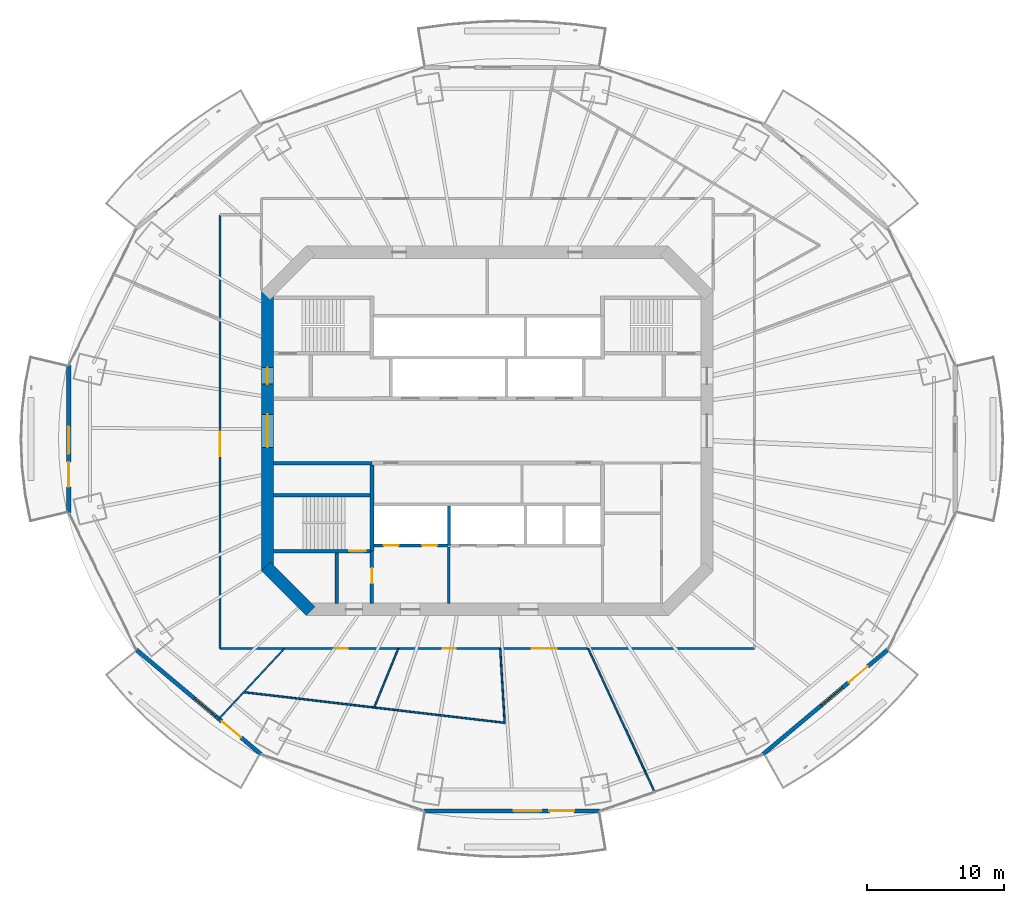
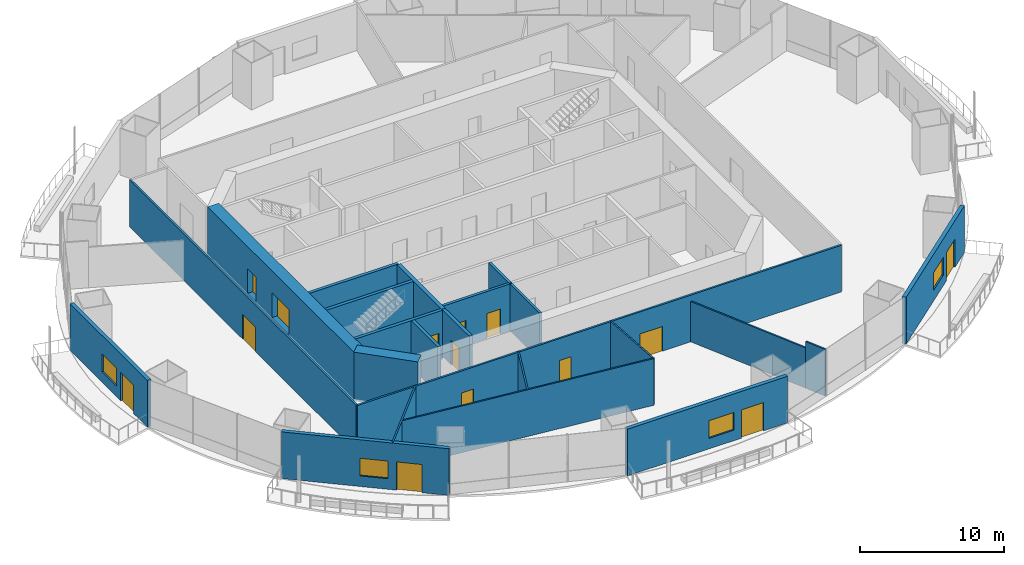
# One storey, part 12 of 21: 23 walls, 14 doors, 4 windows, 18 openings.
"""IFC4 building model written with IfcOpenShell, lengths in metres."""

from ifc_helpers import new_model, si_unit, direction, frame, frame_2d, origin, place, context, subcontext, project, spatial, rectangle, extrude, material, layer, layer_set, type_object, element, fill, save


model = new_model("IFC4")

# Units and contexts
model_context = context("Model", 3, precision=1e-05, world=origin(), true_north=direction((0.0, 1.0)))
body_context = subcontext(model_context, "Body", "Model", "MODEL_VIEW")
ifc_project = project(units=[si_unit("LENGTHUNIT", "METRE"), si_unit("AREAUNIT", "SQUARE_METRE"), si_unit("VOLUMEUNIT", "CUBIC_METRE"), si_unit("PLANEANGLEUNIT", "RADIAN"), si_unit("MASSUNIT", "GRAM", prefix="KILO")], contexts=[model_context])

# Site, building, storey
site_placement = place(None, origin())
site = spatial("IfcSite", under=ifc_project, at=site_placement, CompositionType="ELEMENT")
building_placement = place(site_placement, origin())
building = spatial("IfcBuilding", under=site, at=building_placement, Name="Marenthal Gate Tower", CompositionType="ELEMENT")
storey_placement = place(building_placement, frame((0.0, 0.0, 165.199951171875)))
storey = spatial("IfcBuildingStorey", under=building, at=storey_placement, Name="L35", CompositionType="ELEMENT", Elevation=165.199951171875)

# Wall, openings, doors
ifc_material_1 = material(Name="Concrete 60 MPa", Category="concrete")
ifc_layer_1 = layer(ifc_material_1, 0.89990234375)
ifc_layer_set_1 = layer_set([ifc_layer_1], Name="Core shear wall 900")
wall_type_1 = type_object("IfcWallType", Name="Core shear wall 900", PredefinedType="SHEAR", material=ifc_layer_set_1)
wall_1_placement = place(storey_placement, frame((-16.0, 10.186279296875, -0.179931640625), z_axis=(0.0, 0.0, 1.0), x_axis=(0.0, -1.0, 0.0)))
wall_1 = element("IfcWall", 1, at=wall_1_placement, inside=storey, type_object=wall_type_1, Name="Core wall 06", PredefinedType="SHEAR", context=body_context, shape_type="SweptSolid", body=[
    extrude(rectangle(XDim=20.37255859375, YDim=0.89990234375, at=frame_2d((10.186279296875, 0.0))), origin(), (0.0, 0.0, 1.0), 4.14990234375),
])
opening_1_placement = place(wall_1_placement, frame((8.986328125, 0.0, 0.179931640625)))
opening_1 = element("IfcOpeningElement", 2, at=opening_1_placement, cuts=wall_1, Name="Opening D003.01", PredefinedType="OPENING", context=body_context, shape_type="SweptSolid", body=[
    extrude(rectangle(XDim=2.39990234375, YDim=2.10009765625, at=frame_2d((1.199951171875, 1.050048828125))), frame((0.0, 0.4599609375, 0.0), z_axis=(0.0, -1.0, 0.0), x_axis=(1.0, 0.0, 0.0)), (0.0, 0.0, 1.0), 0.919921875),
])
opening_2_placement = place(wall_1_placement, frame((5.58642578125, 0.0, 0.179931640625)))
opening_2 = element("IfcOpeningElement", 3, at=opening_2_placement, cuts=wall_1, Name="Opening D001.04", PredefinedType="OPENING", context=body_context, shape_type="SweptSolid", body=[
    extrude(rectangle(XDim=1.199951171875, YDim=2.10009765625, at=frame_2d((0.60009765625, 1.050048828125))), frame((0.0, 0.4599609375, 0.0), z_axis=(0.0, -1.0, 0.0), x_axis=(1.0, 0.0, 0.0)), (0.0, 0.0, 1.0), 0.919921875),
])
ifc_material_2 = material(Name="Steel fire door", Category="steel")
door_type_1 = type_object("IfcDoorType", Name="Double fire door FD 45 2400 x 2100", OperationType="DOUBLE_DOOR_SINGLE_SWING", PredefinedType="DOOR", material=ifc_material_2)
door_1_placement = place(opening_1_placement, origin())
door_1 = element("IfcDoor", 4, at=door_1_placement, inside=storey, type_object=door_type_1, Name="Door D003.01", OperationType="DOUBLE_DOOR_SINGLE_SWING", OverallHeight=2.10009765625, OverallWidth=2.39990234375, PredefinedType="DOOR", context=body_context, shape_type="SweptSolid", body=[
    extrude(rectangle(XDim=2.39990234375, YDim=2.10009765625, at=frame_2d((1.199951171875, 1.050048828125))), frame((0.0, 0.02490234375, 0.0), z_axis=(0.0, -1.0, 0.0), x_axis=(1.0, 0.0, 0.0)), (0.0, 0.0, 1.0), 0.050048828125),
])
fill(opening_1, door_1)
ifc_material_3 = material(Name="Steel fire door", Category="steel")
door_type_2 = type_object("IfcDoorType", Name="Fire door FD 90 1200 x 2100", OperationType="NOTDEFINED", PredefinedType="DOOR", material=ifc_material_3)
door_2_placement = place(opening_2_placement, origin())
door_2 = element("IfcDoor", 5, at=door_2_placement, inside=storey, type_object=door_type_2, Name="Door D001.04", OperationType="SINGLE_SWING_RIGHT", OverallHeight=2.10009765625, OverallWidth=1.199951171875, PredefinedType="DOOR", context=body_context, shape_type="SweptSolid", body=[
    extrude(rectangle(XDim=1.199951171875, YDim=2.10009765625, at=frame_2d((0.60009765625, 1.050048828125))), frame((0.0, 0.02490234375, 0.0), z_axis=(0.0, -1.0, 0.0), x_axis=(1.0, 0.0, 0.0)), (0.0, 0.0, 1.0), 0.050048828125),
])
fill(opening_2, door_2)

# Walls
wall_2_placement = place(storey_placement, frame((-16.1318359375, -9.8681640625, -0.179931640625), z_axis=(0.0, 0.0, 1.0), x_axis=(0.707106781187, -0.707106781187, 0.0)))
element("IfcWall", 6, at=wall_2_placement, inside=storey, type_object=wall_type_1, Name="Core wall 07", PredefinedType="SHEAR", context=body_context, shape_type="SweptSolid", body=[
    extrude(rectangle(XDim=4.615478515625, YDim=0.89990234375, at=frame_2d((2.3076171875, 0.0))), origin(), (0.0, 0.0, 1.0), 4.14990234375),
])
ifc_material_4 = material(Name="Gypsum board on steel studs", Category="steel")
ifc_layer_2 = layer(ifc_material_4, 0.199951171875)
ifc_layer_set_2 = layer_set([ifc_layer_2], Name="Fire lobby wall 200")
wall_type_2 = type_object("IfcWallType", Name="Fire lobby wall 200", PredefinedType="PARTITIONING", material=ifc_layer_set_2)
wall_3_placement = place(storey_placement, frame((-2.800048828125, -12.550048828125, 0.0), z_axis=(0.0, 0.0, 1.0), x_axis=(0.0, 1.0, 0.0)))
element("IfcWall", 7, at=wall_3_placement, inside=storey, type_object=wall_type_2, Name="Fire wall 34", PredefinedType="PARTITIONING", context=body_context, shape_type="SweptSolid", body=[
    extrude(rectangle(XDim=4.090087890625, YDim=0.199951171875, at=frame_2d((2.044921875, 0.0))), origin(), (0.0, 0.0, 1.0), 3.969970703125),
])
ifc_material_5 = material(Name="Concrete 50 MPa", Category="concrete")
ifc_layer_3 = layer(ifc_material_5, 0.300048828125)
ifc_layer_set_3 = layer_set([ifc_layer_3], Name="Hoistway shear wall 300")
wall_type_3 = type_object("IfcWallType", Name="Hoistway shear wall 300", PredefinedType="SHEAR", material=ifc_layer_set_3)
wall_4_placement = place(storey_placement, frame((-8.39990234375, -8.75, -0.179931640625), z_axis=(0.0, 0.0, 1.0), x_axis=(0.0, 1.0, 0.0)))
element("IfcWall", 8, at=wall_4_placement, inside=storey, type_object=wall_type_3, Name="Hoistway wall 30", PredefinedType="SHEAR", context=body_context, shape_type="SweptSolid", body=[
    extrude(rectangle(XDim=6.25, YDim=0.300048828125, at=frame_2d((3.125, 0.0))), origin(), (0.0, 0.0, 1.0), 4.14990234375),
])

# Wall, openings, doors
ifc_material_6 = material(Name="Concrete 40 MPa", Category="concrete")
ifc_layer_4 = layer(ifc_material_6, 0.219970703125)
ifc_layer_set_4 = layer_set([ifc_layer_4], Name="Hoistway wall 220")
wall_type_4 = type_object("IfcWallType", Name="Hoistway wall 220", PredefinedType="STANDARD", material=ifc_layer_set_4)
wall_5_placement = place(storey_placement, frame((-8.25, -8.35009765625, 0.0), z_axis=(0.0, 0.0, 1.0), x_axis=(1.0, 0.0, 0.0)))
wall_5 = element("IfcWall", 9, at=wall_5_placement, inside=storey, type_object=wall_type_4, Name="Hoistway wall 10", PredefinedType="STANDARD", context=body_context, shape_type="SweptSolid", body=[
    extrude(rectangle(XDim=5.340087890625, YDim=0.219970703125, at=frame_2d((2.669921875, 0.0))), origin(), (0.0, 0.0, 1.0), 3.969970703125),
])
opening_3_placement = place(wall_5_placement, frame((0.699951171875, 0.0, 0.0)))
opening_3 = element("IfcOpeningElement", 10, at=opening_3_placement, cuts=wall_5, Name="Opening LD-LF1", PredefinedType="OPENING", context=body_context, shape_type="SweptSolid", body=[
    extrude(rectangle(XDim=1.10009765625, YDim=2.10009765625, at=frame_2d((0.550048828125, 1.050048828125))), frame((0.0, 0.1201171875, 0.0), z_axis=(0.0, -1.0, 0.0), x_axis=(1.0, 0.0, 0.0)), (0.0, 0.0, 1.0), 0.239990234375),
])
opening_4_placement = place(wall_5_placement, frame((3.5, 0.0, 0.0)))
opening_4 = element("IfcOpeningElement", 11, at=opening_4_placement, cuts=wall_5, Name="Opening LD-LF2", PredefinedType="OPENING", context=body_context, shape_type="SweptSolid", body=[
    extrude(rectangle(XDim=1.10009765625, YDim=2.10009765625, at=frame_2d((0.550048828125, 1.050048828125))), frame((0.0, 0.1201171875, 0.0), z_axis=(0.0, -1.0, 0.0), x_axis=(1.0, 0.0, 0.0)), (0.0, 0.0, 1.0), 0.239990234375),
])
ifc_material_7 = material(Name="Stainless steel sliding door", Category="steel")
door_type_3 = type_object("IfcDoorType", Name="Lift landing door FD 90 1100 x 2100", OperationType="DOUBLE_DOOR_SLIDING", PredefinedType="DOOR", material=ifc_material_7)
door_3_placement = place(opening_3_placement, origin())
door_3 = element("IfcDoor", 12, at=door_3_placement, inside=storey, type_object=door_type_3, Name="Lift landing door LF1", OperationType="DOUBLE_DOOR_SLIDING", OverallHeight=2.10009765625, OverallWidth=1.10009765625, PredefinedType="DOOR", context=body_context, shape_type="SweptSolid", body=[
    extrude(rectangle(XDim=1.10009765625, YDim=2.10009765625, at=frame_2d((0.550048828125, 1.050048828125))), frame((0.0, 0.02490234375, 0.0), z_axis=(0.0, -1.0, 0.0), x_axis=(1.0, 0.0, 0.0)), (0.0, 0.0, 1.0), 0.050048828125),
])
fill(opening_3, door_3)
door_4_placement = place(opening_4_placement, origin())
door_4 = element("IfcDoor", 13, at=door_4_placement, inside=storey, type_object=door_type_3, Name="Lift landing door LF2", OperationType="DOUBLE_DOOR_SLIDING", OverallHeight=2.10009765625, OverallWidth=1.10009765625, PredefinedType="DOOR", context=body_context, shape_type="SweptSolid", body=[
    extrude(rectangle(XDim=1.10009765625, YDim=2.10009765625, at=frame_2d((0.550048828125, 1.050048828125))), frame((0.0, 0.02490234375, 0.0), z_axis=(0.0, -1.0, 0.0), x_axis=(1.0, 0.0, 0.0)), (0.0, 0.0, 1.0), 0.050048828125),
])
fill(opening_4, door_4)

# Walls
wall_6_placement = place(storey_placement, frame((-2.800048828125, -8.35009765625, 0.0), z_axis=(0.0, 0.0, 1.0), x_axis=(0.0, 1.0, 0.0)))
element("IfcWall", 14, at=wall_6_placement, inside=storey, type_object=wall_type_4, Name="Hoistway wall 35", PredefinedType="STANDARD", context=body_context, shape_type="SweptSolid", body=[
    extrude(rectangle(XDim=2.89013671875, YDim=0.219970703125, at=frame_2d((1.445068359375, 0.0))), origin(), (0.0, 0.0, 1.0), 3.969970703125),
])
ifc_material_8 = material(Name="Gypsum board on steel studs", Category="steel")
ifc_layer_5 = layer(ifc_material_8, 0.1201171875)
ifc_layer_set_5 = layer_set([ifc_layer_5], Name="Partition 120")
wall_type_5 = type_object("IfcWallType", Name="Partition 120", PredefinedType="PARTITIONING", material=ifc_layer_set_5)
wall_7_placement = place(storey_placement, frame((-17.72900390625, -19.025390625, 0.0), z_axis=(0.0, 0.0, 1.0), x_axis=(0.99318471995, -0.116550899001, 0.0)))
element("IfcWall", 15, at=wall_7_placement, inside=storey, type_object=wall_type_5, Name="Partition wall 52", PredefinedType="PARTITIONING", context=body_context, shape_type="SweptSolid", body=[
    extrude(rectangle(XDim=19.124755859375, YDim=0.1201171875, at=frame_2d((9.5625, 0.0))), origin(), (0.0, 0.0, 1.0), 3.969970703125),
])
wall_8_placement = place(storey_placement, frame((-14.77001953125, -15.85009765625, 0.0), z_axis=(0.0, 0.0, 1.0), x_axis=(-0.681748932873, -0.731586216742, 0.0)))
element("IfcWall", 16, at=wall_8_placement, inside=storey, type_object=wall_type_5, Name="Partition wall 55", PredefinedType="PARTITIONING", context=body_context, shape_type="SweptSolid", body=[
    extrude(rectangle(XDim=7.000244140625, YDim=0.1201171875, at=frame_2d((3.5, 0.0))), origin(), (0.0, 0.0, 1.0), 3.969970703125),
])
wall_9_placement = place(storey_placement, frame((-8.231689453125, -20.139892578125, 0.0), z_axis=(0.0, 0.0, 1.0), x_axis=(0.378310762155, 0.925678652253, 0.0)))
element("IfcWall", 17, at=wall_9_placement, inside=storey, type_object=wall_type_5, Name="Partition wall 56", PredefinedType="PARTITIONING", context=body_context, shape_type="SweptSolid", body=[
    extrude(rectangle(XDim=4.63427734375, YDim=0.1201171875, at=frame_2d((2.317138671875, 0.0))), origin(), (0.0, 0.0, 1.0), 3.969970703125),
])
wall_10_placement = place(storey_placement, frame((1.265380859375, -21.25439453125, 0.0), z_axis=(0.0, 0.0, 1.0), x_axis=(-0.059435758529, 0.998232132627, 0.0)))
element("IfcWall", 18, at=wall_10_placement, inside=storey, type_object=wall_type_5, Name="Partition wall 57", PredefinedType="PARTITIONING", context=body_context, shape_type="SweptSolid", body=[
    extrude(rectangle(XDim=5.413818359375, YDim=0.1201171875, at=frame_2d((2.70703125, 0.0))), origin(), (0.0, 0.0, 1.0), 3.969970703125),
])
wall_11_placement = place(storey_placement, frame((7.34521484375, -15.85009765625, 0.0), z_axis=(0.0, 0.0, 1.0), x_axis=(0.420462507065, -0.90730991406, 0.0)))
element("IfcWall", 19, at=wall_11_placement, inside=storey, type_object=wall_type_5, Name="Partition wall 59", PredefinedType="PARTITIONING", context=body_context, shape_type="SweptSolid", body=[
    extrude(rectangle(XDim=9.84130859375, YDim=0.1201171875, at=frame_2d((4.920654296875, 0.0))), origin(), (0.0, 0.0, 1.0), 3.426025390625),
])
wall_12_placement = place(storey_placement, frame((11.483154296875, -24.779296875, 0.0), z_axis=(0.0, 0.0, 1.0), x_axis=(0.420419662211, -0.90732976785, 0.0)))
element("IfcWall", 20, at=wall_12_placement, inside=storey, type_object=wall_type_5, Name="Partition wall 71", PredefinedType="PARTITIONING", context=body_context, shape_type="SweptSolid", body=[
    extrude(rectangle(XDim=1.65966796875, YDim=0.1201171875, at=frame_2d((0.829833984375, 0.0))), origin(), (0.0, 0.0, 1.0), 3.969970703125),
])

# Wall, opening, door
ifc_material_9 = material(Name="Gypsum board on steel studs", Category="steel")
ifc_layer_6 = layer(ifc_material_9, 0.14990234375)
ifc_layer_set_6 = layer_set([ifc_layer_6], Name="Partition 150")
wall_type_6 = type_object("IfcWallType", Name="Partition 150", PredefinedType="PARTITIONING", material=ifc_layer_set_6)
wall_13_placement = place(storey_placement, frame((-19.449951171875, -15.85009765625, 0.0), z_axis=(0.0, 0.0, 1.0), x_axis=(0.0, 1.0, 0.0)))
wall_13 = element("IfcWall", 21, at=wall_13_placement, inside=storey, type_object=wall_type_6, Name="Partition wall 49", PredefinedType="PARTITIONING", context=body_context, shape_type="SweptSolid", body=[
    extrude(rectangle(XDim=31.581787109375, YDim=0.14990234375, at=frame_2d((15.791015625, 0.0))), origin(), (0.0, 0.0, 1.0), 3.969970703125),
])
opening_5_placement = place(wall_13_placement, frame((14.0029296875, 0.0, 0.0)))
opening_5 = element("IfcOpeningElement", 22, at=opening_5_placement, cuts=wall_13, Name="Opening D014.02", PredefinedType="OPENING", context=body_context, shape_type="SweptSolid", body=[
    extrude(rectangle(XDim=1.800048828125, YDim=2.10009765625, at=frame_2d((0.89990234375, 1.050048828125))), frame((0.0, 0.0849609375, 0.0), z_axis=(0.0, -1.0, 0.0), x_axis=(1.0, 0.0, 0.0)), (0.0, 0.0, 1.0), 0.169921875),
])
ifc_material_10 = material(Name="Timber door", Category="wood")
door_type_4 = type_object("IfcDoorType", Name="Double door 1800 x 2100", OperationType="DOUBLE_DOOR_SINGLE_SWING", PredefinedType="DOOR", material=ifc_material_10)
door_5_placement = place(opening_5_placement, origin())
door_5 = element("IfcDoor", 23, at=door_5_placement, inside=storey, type_object=door_type_4, Name="Door D014.02", OperationType="DOUBLE_DOOR_SINGLE_SWING", OverallHeight=2.10009765625, OverallWidth=1.800048828125, PredefinedType="DOOR", context=body_context, shape_type="SweptSolid", body=[
    extrude(rectangle(XDim=1.800048828125, YDim=2.10009765625, at=frame_2d((0.89990234375, 1.050048828125))), frame((0.0, 0.02490234375, 0.0), z_axis=(0.0, -1.0, 0.0), x_axis=(1.0, 0.0, 0.0)), (0.0, 0.0, 1.0), 0.050048828125),
])
fill(opening_5, door_5)

# Wall, openings, doors
wall_14_placement = place(storey_placement, frame((19.449951171875, -15.85009765625, 0.0), z_axis=(0.0, 0.0, 1.0), x_axis=(-1.0, 0.0, 0.0)))
wall_14 = element("IfcWall", 24, at=wall_14_placement, inside=storey, type_object=wall_type_6, Name="Partition wall 65", PredefinedType="PARTITIONING", context=body_context, shape_type="SweptSolid", body=[
    extrude(rectangle(XDim=38.89990234375, YDim=0.14990234375, at=frame_2d((19.449951171875, 0.0))), origin(), (0.0, 0.0, 1.0), 3.969970703125),
])
opening_6_placement = place(wall_14_placement, frame((29.59912109375, 0.0, 0.0)))
opening_6 = element("IfcOpeningElement", 25, at=opening_6_placement, cuts=wall_14, Name="Opening D016.06", PredefinedType="OPENING", context=body_context, shape_type="SweptSolid", body=[
    extrude(rectangle(XDim=0.949951171875, YDim=2.10009765625, at=frame_2d((0.47509765625, 1.050048828125))), frame((0.0, 0.0849609375, 0.0), z_axis=(0.0, -1.0, 0.0), x_axis=(1.0, 0.0, 0.0)), (0.0, 0.0, 1.0), 0.169921875),
])
opening_7_placement = place(wall_14_placement, frame((21.741943359375, 0.0, 0.0)))
opening_7 = element("IfcOpeningElement", 26, at=opening_7_placement, cuts=wall_14, Name="Opening D016.07", PredefinedType="OPENING", context=body_context, shape_type="SweptSolid", body=[
    extrude(rectangle(XDim=0.949951171875, YDim=2.10009765625, at=frame_2d((0.47509765625, 1.050048828125))), frame((0.0, 0.0849609375, 0.0), z_axis=(0.0, -1.0, 0.0), x_axis=(1.0, 0.0, 0.0)), (0.0, 0.0, 1.0), 0.169921875),
])
opening_8_placement = place(wall_14_placement, frame((14.406005859375, 0.0, 0.0)))
opening_8 = element("IfcOpeningElement", 27, at=opening_8_placement, cuts=wall_14, Name="Opening D014.03", PredefinedType="OPENING", context=body_context, shape_type="SweptSolid", body=[
    extrude(rectangle(XDim=1.800048828125, YDim=2.10009765625, at=frame_2d((0.89990234375, 1.050048828125))), frame((0.0, 0.0849609375, 0.0), z_axis=(0.0, -1.0, 0.0), x_axis=(1.0, 0.0, 0.0)), (0.0, 0.0, 1.0), 0.169921875),
])
ifc_material_11 = material(Name="Timber door", Category="wood")
door_type_5 = type_object("IfcDoorType", Name="Door 950 x 2100", OperationType="NOTDEFINED", PredefinedType="DOOR", material=ifc_material_11)
door_6_placement = place(opening_6_placement, origin())
door_6 = element("IfcDoor", 28, at=door_6_placement, inside=storey, type_object=door_type_5, Name="Door D016.06", OperationType="SINGLE_SWING_RIGHT", OverallHeight=2.10009765625, OverallWidth=0.949951171875, PredefinedType="DOOR", context=body_context, shape_type="SweptSolid", body=[
    extrude(rectangle(XDim=0.949951171875, YDim=2.10009765625, at=frame_2d((0.47509765625, 1.050048828125))), frame((0.0, 0.02490234375, 0.0), z_axis=(0.0, -1.0, 0.0), x_axis=(1.0, 0.0, 0.0)), (0.0, 0.0, 1.0), 0.050048828125),
])
fill(opening_6, door_6)
door_7_placement = place(opening_7_placement, origin())
door_7 = element("IfcDoor", 29, at=door_7_placement, inside=storey, type_object=door_type_5, Name="Door D016.07", OperationType="SINGLE_SWING_RIGHT", OverallHeight=2.10009765625, OverallWidth=0.949951171875, PredefinedType="DOOR", context=body_context, shape_type="SweptSolid", body=[
    extrude(rectangle(XDim=0.949951171875, YDim=2.10009765625, at=frame_2d((0.47509765625, 1.050048828125))), frame((0.0, 0.02490234375, 0.0), z_axis=(0.0, -1.0, 0.0), x_axis=(1.0, 0.0, 0.0)), (0.0, 0.0, 1.0), 0.050048828125),
])
fill(opening_7, door_7)
door_8_placement = place(opening_8_placement, origin())
door_8 = element("IfcDoor", 30, at=door_8_placement, inside=storey, type_object=door_type_4, Name="Door D014.03", OperationType="DOUBLE_DOOR_SINGLE_SWING", OverallHeight=2.10009765625, OverallWidth=1.800048828125, PredefinedType="DOOR", context=body_context, shape_type="SweptSolid", body=[
    extrude(rectangle(XDim=1.800048828125, YDim=2.10009765625, at=frame_2d((0.89990234375, 1.050048828125))), frame((0.0, 0.02490234375, 0.0), z_axis=(0.0, -1.0, 0.0), x_axis=(1.0, 0.0, 0.0)), (0.0, 0.0, 1.0), 0.050048828125),
])
fill(opening_8, door_8)

# Walls
ifc_material_12 = material(Name="Concrete 40 MPa", Category="concrete")
ifc_layer_7 = layer(ifc_material_12, 0.25)
ifc_layer_set_7 = layer_set([ifc_layer_7], Name="Stair enclosure wall 250")
wall_type_7 = type_object("IfcWallType", Name="Stair enclosure wall 250", PredefinedType="STANDARD", material=ifc_layer_set_7)
wall_15_placement = place(storey_placement, frame((-15.550048828125, -2.35009765625, 0.0), z_axis=(0.0, 0.0, 1.0), x_axis=(1.0, 0.0, 0.0)))
element("IfcWall", 31, at=wall_15_placement, inside=storey, type_object=wall_type_7, Name="Stair wall 15", PredefinedType="STANDARD", context=body_context, shape_type="SweptSolid", body=[
    extrude(rectangle(XDim=7.150146484375, YDim=0.25, at=frame_2d((3.5751953125, 0.0))), origin(), (0.0, 0.0, 1.0), 3.969970703125),
])
wall_16_placement = place(storey_placement, frame((-10.949951171875, -12.550048828125, 0.0), z_axis=(0.0, 0.0, 1.0), x_axis=(0.0, 1.0, 0.0)))
element("IfcWall", 32, at=wall_16_placement, inside=storey, type_object=wall_type_7, Name="Stair wall 28", PredefinedType="STANDARD", context=body_context, shape_type="SweptSolid", body=[
    extrude(rectangle(XDim=3.675048828125, YDim=0.25, at=frame_2d((1.83740234375, 0.0))), origin(), (0.0, 0.0, 1.0), 3.969970703125),
])

# Wall, opening, door
wall_17_placement = place(storey_placement, frame((-8.39990234375, -12.550048828125, 0.0), z_axis=(0.0, 0.0, 1.0), x_axis=(0.0, 1.0, 0.0)))
wall_17 = element("IfcWall", 33, at=wall_17_placement, inside=storey, type_object=wall_type_7, Name="Stair wall 29", PredefinedType="STANDARD", context=body_context, shape_type="SweptSolid", body=[
    extrude(rectangle(XDim=3.800048828125, YDim=0.25, at=frame_2d((1.89990234375, 0.0))), origin(), (0.0, 0.0, 1.0), 3.969970703125),
])
opening_9_placement = place(wall_17_placement, frame((1.449951171875, 0.0, 0.0)))
opening_9 = element("IfcOpeningElement", 34, at=opening_9_placement, cuts=wall_17, Name="Opening D002.01", PredefinedType="OPENING", context=body_context, shape_type="SweptSolid", body=[
    extrude(rectangle(XDim=1.10009765625, YDim=2.10009765625, at=frame_2d((0.550048828125, 1.050048828125))), frame((0.0, 0.135009765625, 0.0), z_axis=(0.0, -1.0, 0.0), x_axis=(1.0, 0.0, 0.0)), (0.0, 0.0, 1.0), 0.27001953125),
])
ifc_material_13 = material(Name="Steel fire door", Category="steel")
door_type_6 = type_object("IfcDoorType", Name="Fire door FD 90 1100 x 2100", OperationType="NOTDEFINED", PredefinedType="DOOR", material=ifc_material_13)
door_9_placement = place(opening_9_placement, origin())
door_9 = element("IfcDoor", 35, at=door_9_placement, inside=storey, type_object=door_type_6, Name="Door D002.01", OperationType="SINGLE_SWING_RIGHT", OverallHeight=2.10009765625, OverallWidth=1.10009765625, PredefinedType="DOOR", context=body_context, shape_type="SweptSolid", body=[
    extrude(rectangle(XDim=1.10009765625, YDim=2.10009765625, at=frame_2d((0.550048828125, 1.050048828125))), frame((0.0, 0.02490234375, 0.0), z_axis=(0.0, -1.0, 0.0), x_axis=(1.0, 0.0, 0.0)), (0.0, 0.0, 1.0), 0.050048828125),
])
fill(opening_9, door_9)

ifc_material_14 = material(Name="Concrete 50 MPa", Category="concrete")
ifc_layer_8 = layer(ifc_material_14, 0.25)
ifc_layer_set_8 = layer_set([ifc_layer_8], Name="Stair shear wall 250")
wall_type_8 = type_object("IfcWallType", Name="Stair shear wall 250", PredefinedType="SHEAR", material=ifc_layer_set_8)
wall_18_placement = place(storey_placement, frame((-15.550048828125, -8.75, -0.179931640625), z_axis=(0.0, 0.0, 1.0), x_axis=(1.0, 0.0, 0.0)))
wall_18 = element("IfcWall", 36, at=wall_18_placement, inside=storey, type_object=wall_type_8, Name="Stair wall 09", PredefinedType="SHEAR", context=body_context, shape_type="SweptSolid", body=[
    extrude(rectangle(XDim=7.0, YDim=0.25, at=frame_2d((3.5, 0.0))), origin(), (0.0, 0.0, 1.0), 4.14990234375),
])
opening_10_placement = place(wall_18_placement, frame((5.5, 0.0, 0.179931640625)))
opening_10 = element("IfcOpeningElement", 37, at=opening_10_placement, cuts=wall_18, Name="Opening D001.03", PredefinedType="OPENING", context=body_context, shape_type="SweptSolid", body=[
    extrude(rectangle(XDim=1.199951171875, YDim=2.10009765625, at=frame_2d((0.60009765625, 1.050048828125))), frame((0.0, 0.135009765625, 0.0), z_axis=(0.0, -1.0, 0.0), x_axis=(1.0, 0.0, 0.0)), (0.0, 0.0, 1.0), 0.27001953125),
])
door_10_placement = place(opening_10_placement, origin())
door_10 = element("IfcDoor", 38, at=door_10_placement, inside=storey, type_object=door_type_2, Name="Door D001.03", OperationType="SINGLE_SWING_RIGHT", OverallHeight=2.10009765625, OverallWidth=1.199951171875, PredefinedType="DOOR", context=body_context, shape_type="SweptSolid", body=[
    extrude(rectangle(XDim=1.199951171875, YDim=2.10009765625, at=frame_2d((0.60009765625, 1.050048828125))), frame((0.0, 0.02490234375, 0.0), z_axis=(0.0, -1.0, 0.0), x_axis=(1.0, 0.0, 0.0)), (0.0, 0.0, 1.0), 0.050048828125),
])
fill(opening_10, door_10)

# Wall
wall_19_placement = place(storey_placement, frame((-15.550048828125, -4.699951171875, -0.179931640625), z_axis=(0.0, 0.0, 1.0), x_axis=(1.0, 0.0, 0.0)))
element("IfcWall", 39, at=wall_19_placement, inside=storey, type_object=wall_type_8, Name="Stair wall 14", PredefinedType="SHEAR", context=body_context, shape_type="SweptSolid", body=[
    extrude(rectangle(XDim=7.0, YDim=0.25, at=frame_2d((3.5, 0.0))), origin(), (0.0, 0.0, 1.0), 4.14990234375),
])

# Wall, openings, door, window
ifc_material_15 = material(Name="Terracotta cladding on insulated concrete-block backing", Category="masonry")
ifc_layer_9 = layer(ifc_material_15, 0.300048828125)
ifc_layer_set_9 = layer_set([ifc_layer_9], Name="Terracotta facade wall 300")
wall_type_9 = type_object("IfcWallType", Name="Terracotta facade wall 300", PredefinedType="SOLIDWALL", material=ifc_layer_set_9)
wall_20_placement = place(storey_placement, frame((-30.466796875, 4.782958984375, 0.0), z_axis=(0.0, 0.0, 1.0), x_axis=(0.0, -1.0, 0.0)))
wall_20 = element("IfcWall", 40, at=wall_20_placement, inside=storey, type_object=wall_type_9, Name="Terracotta facade wall L35 bay 8", PredefinedType="SOLIDWALL", context=body_context, shape_type="SweptSolid", body=[
    extrude(rectangle(XDim=10.765869140625, YDim=0.300048828125, at=frame_2d((5.3828125, 0.0))), origin(), (0.0, 0.0, 1.0), 3.969970703125),
])
opening_11_placement = place(wall_20_placement, frame((7.06591796875, 0.0, 0.0)))
opening_11 = element("IfcOpeningElement", 41, at=opening_11_placement, cuts=wall_20, Name="Opening BD-L35-08", PredefinedType="OPENING", context=body_context, shape_type="SweptSolid", body=[
    extrude(rectangle(XDim=1.800048828125, YDim=2.39990234375, at=frame_2d((0.89990234375, 1.199951171875))), frame((0.0, 0.16015625, 0.0), z_axis=(0.0, -1.0, 0.0), x_axis=(1.0, 0.0, 0.0)), (0.0, 0.0, 1.0), 0.320068359375),
])
opening_12_placement = place(wall_20_placement, frame((4.4658203125, 0.0, 0.89990234375)))
opening_12 = element("IfcOpeningElement", 42, at=opening_12_placement, cuts=wall_20, Name="Opening WN2-L35-08", PredefinedType="OPENING", context=body_context, shape_type="SweptSolid", body=[
    extrude(rectangle(XDim=2.0, YDim=1.5, at=frame_2d((1.0, 0.75))), frame((0.0, 0.16015625, 0.0), z_axis=(0.0, -1.0, 0.0), x_axis=(1.0, 0.0, 0.0)), (0.0, 0.0, 1.0), 0.320068359375),
])
ifc_material_16 = material(Name="Aluminium and glass", Category="aluminium")
door_type_7 = type_object("IfcDoorType", Name="Balcony door 1800x2400", OperationType="DOUBLE_DOOR_SINGLE_SWING", PredefinedType="DOOR", material=ifc_material_16)
door_11_placement = place(opening_11_placement, origin())
door_11 = element("IfcDoor", 43, at=door_11_placement, inside=storey, type_object=door_type_7, Name="Balcony door L35 bay 8", OperationType="SINGLE_SWING_LEFT", OverallHeight=2.39990234375, OverallWidth=1.800048828125, PredefinedType="DOOR", context=body_context, shape_type="SweptSolid", body=[
    extrude(rectangle(XDim=1.800048828125, YDim=2.39990234375, at=frame_2d((0.89990234375, 1.199951171875))), frame((0.0, 0.02490234375, 0.0), z_axis=(0.0, -1.0, 0.0), x_axis=(1.0, 0.0, 0.0)), (0.0, 0.0, 1.0), 0.050048828125),
])
fill(opening_11, door_11)
ifc_material_17 = material(Name="Aluminium and glass", Category="aluminium")
window_type = type_object("IfcWindowType", Name="Window 2000x1500", PartitioningType="DOUBLE_PANEL_VERTICAL", PredefinedType="WINDOW", material=ifc_material_17)
window_1_placement = place(opening_12_placement, origin())
window_1 = element("IfcWindow", 44, at=window_1_placement, inside=storey, type_object=window_type, Name="Window L35 bay 8", OverallHeight=1.5, OverallWidth=2.0, PartitioningType="SINGLE_PANEL", PredefinedType="WINDOW", context=body_context, shape_type="SweptSolid", body=[
    extrude(rectangle(XDim=2.0, YDim=1.5, at=frame_2d((1.0, 0.75))), frame((0.0, 0.030029296875, 0.0), z_axis=(0.0, -1.0, 0.0), x_axis=(1.0, 0.0, 0.0)), (0.0, 0.0, 1.0), 0.06005859375),
])
fill(opening_12, window_1)

wall_21_placement = place(storey_placement, frame((-25.554443359375, -15.92919921875, 0.0), z_axis=(0.0, 0.0, 1.0), x_axis=(0.766186960617, -0.642617725697, 0.0)))
wall_21 = element("IfcWall", 45, at=wall_21_placement, inside=storey, type_object=wall_type_9, Name="Terracotta facade wall L35 bay 10", PredefinedType="SOLIDWALL", context=body_context, shape_type="SweptSolid", body=[
    extrude(rectangle(XDim=11.846435546875, YDim=0.300048828125, at=frame_2d((5.92333984375, 0.0))), origin(), (0.0, 0.0, 1.0), 3.969970703125),
])
opening_13_placement = place(wall_21_placement, frame((8.146484375, 0.0, 0.0)))
opening_13 = element("IfcOpeningElement", 46, at=opening_13_placement, cuts=wall_21, Name="Opening BD-L35-10", PredefinedType="OPENING", context=body_context, shape_type="SweptSolid", body=[
    extrude(rectangle(XDim=1.800048828125, YDim=2.39990234375, at=frame_2d((0.89990234375, 1.199951171875))), frame((0.0, 0.16015625, 0.0), z_axis=(0.0, -1.0, 0.0), x_axis=(1.0, 0.0, 0.0)), (0.0, 0.0, 1.0), 0.320068359375),
])
opening_14_placement = place(wall_21_placement, frame((5.54638671875, 0.0, 0.89990234375)))
opening_14 = element("IfcOpeningElement", 47, at=opening_14_placement, cuts=wall_21, Name="Opening WN2-L35-10", PredefinedType="OPENING", context=body_context, shape_type="SweptSolid", body=[
    extrude(rectangle(XDim=2.0, YDim=1.5, at=frame_2d((1.0, 0.75))), frame((0.0, 0.16015625, 0.0), z_axis=(0.0, -1.0, 0.0), x_axis=(1.0, 0.0, 0.0)), (0.0, 0.0, 1.0), 0.320068359375),
])
door_12_placement = place(opening_13_placement, origin())
door_12 = element("IfcDoor", 48, at=door_12_placement, inside=storey, type_object=door_type_7, Name="Balcony door L35 bay 10", OperationType="SINGLE_SWING_LEFT", OverallHeight=2.39990234375, OverallWidth=1.800048828125, PredefinedType="DOOR", context=body_context, shape_type="SweptSolid", body=[
    extrude(rectangle(XDim=1.800048828125, YDim=2.39990234375, at=frame_2d((0.89990234375, 1.199951171875))), frame((0.0, 0.02490234375, 0.0), z_axis=(0.0, -1.0, 0.0), x_axis=(1.0, 0.0, 0.0)), (0.0, 0.0, 1.0), 0.050048828125),
])
fill(opening_13, door_12)
window_2_placement = place(opening_14_placement, origin())
window_2 = element("IfcWindow", 49, at=window_2_placement, inside=storey, type_object=window_type, Name="Window L35 bay 10", OverallHeight=1.5, OverallWidth=2.0, PartitioningType="SINGLE_PANEL", PredefinedType="WINDOW", context=body_context, shape_type="SweptSolid", body=[
    extrude(rectangle(XDim=2.0, YDim=1.5, at=frame_2d((1.0, 0.75))), frame((0.0, 0.030029296875, 0.0), z_axis=(0.0, -1.0, 0.0), x_axis=(1.0, 0.0, 0.0)), (0.0, 0.0, 1.0), 0.06005859375),
])
fill(opening_14, window_2)

wall_22_placement = place(storey_placement, frame((-4.618408203125, -27.661865234375, 0.0), z_axis=(0.0, 0.0, 1.0), x_axis=(1.0, 0.0, 0.0)))
wall_22 = element("IfcWall", 50, at=wall_22_placement, inside=storey, type_object=wall_type_9, Name="Terracotta facade wall L35 bay 12", PredefinedType="SOLIDWALL", context=body_context, shape_type="SweptSolid", body=[
    extrude(rectangle(XDim=12.836669921875, YDim=0.300048828125, at=frame_2d((6.41845703125, 0.0))), origin(), (0.0, 0.0, 1.0), 3.969970703125),
])
opening_15_placement = place(wall_22_placement, frame((9.13671875, 0.0, 0.0)))
opening_15 = element("IfcOpeningElement", 51, at=opening_15_placement, cuts=wall_22, Name="Opening BD-L35-12", PredefinedType="OPENING", context=body_context, shape_type="SweptSolid", body=[
    extrude(rectangle(XDim=1.800048828125, YDim=2.39990234375, at=frame_2d((0.89990234375, 1.199951171875))), frame((0.0, 0.16015625, 0.0), z_axis=(0.0, -1.0, 0.0), x_axis=(1.0, 0.0, 0.0)), (0.0, 0.0, 1.0), 0.320068359375),
])
opening_16_placement = place(wall_22_placement, frame((6.53662109375, 0.0, 0.89990234375)))
opening_16 = element("IfcOpeningElement", 52, at=opening_16_placement, cuts=wall_22, Name="Opening WN2-L35-12", PredefinedType="OPENING", context=body_context, shape_type="SweptSolid", body=[
    extrude(rectangle(XDim=2.0, YDim=1.5, at=frame_2d((1.0, 0.75))), frame((0.0, 0.16015625, 0.0), z_axis=(0.0, -1.0, 0.0), x_axis=(1.0, 0.0, 0.0)), (0.0, 0.0, 1.0), 0.320068359375),
])
door_13_placement = place(opening_15_placement, origin())
door_13 = element("IfcDoor", 53, at=door_13_placement, inside=storey, type_object=door_type_7, Name="Balcony door L35 bay 12", OperationType="SINGLE_SWING_LEFT", OverallHeight=2.39990234375, OverallWidth=1.800048828125, PredefinedType="DOOR", context=body_context, shape_type="SweptSolid", body=[
    extrude(rectangle(XDim=1.800048828125, YDim=2.39990234375, at=frame_2d((0.89990234375, 1.199951171875))), frame((0.0, 0.02490234375, 0.0), z_axis=(0.0, -1.0, 0.0), x_axis=(1.0, 0.0, 0.0)), (0.0, 0.0, 1.0), 0.050048828125),
])
fill(opening_15, door_13)
window_3_placement = place(opening_16_placement, origin())
window_3 = element("IfcWindow", 54, at=window_3_placement, inside=storey, type_object=window_type, Name="Window L35 bay 12", OverallHeight=1.5, OverallWidth=2.0, PartitioningType="SINGLE_PANEL", PredefinedType="WINDOW", context=body_context, shape_type="SweptSolid", body=[
    extrude(rectangle(XDim=2.0, YDim=1.5, at=frame_2d((1.0, 0.75))), frame((0.0, 0.030029296875, 0.0), z_axis=(0.0, -1.0, 0.0), x_axis=(1.0, 0.0, 0.0)), (0.0, 0.0, 1.0), 0.06005859375),
])
fill(opening_16, window_3)

wall_23_placement = place(storey_placement, frame((20.07763671875, -23.5419921875, 0.0), z_axis=(0.0, 0.0, 1.0), x_axis=(0.766195470897, 0.642607578835, 0.0)))
wall_23 = element("IfcWall", 55, at=wall_23_placement, inside=storey, type_object=wall_type_9, Name="Terracotta facade wall L35 bay 14", PredefinedType="SOLIDWALL", context=body_context, shape_type="SweptSolid", body=[
    extrude(rectangle(XDim=11.8466796875, YDim=0.300048828125, at=frame_2d((5.92333984375, 0.0))), origin(), (0.0, 0.0, 1.0), 3.969970703125),
])
opening_17_placement = place(wall_23_placement, frame((8.146484375, 0.0, 0.0)))
opening_17 = element("IfcOpeningElement", 56, at=opening_17_placement, cuts=wall_23, Name="Opening BD-L35-14", PredefinedType="OPENING", context=body_context, shape_type="SweptSolid", body=[
    extrude(rectangle(XDim=1.800048828125, YDim=2.39990234375, at=frame_2d((0.89990234375, 1.199951171875))), frame((0.0, 0.16015625, 0.0), z_axis=(0.0, -1.0, 0.0), x_axis=(1.0, 0.0, 0.0)), (0.0, 0.0, 1.0), 0.320068359375),
])
opening_18_placement = place(wall_23_placement, frame((5.54638671875, 0.0, 0.89990234375)))
opening_18 = element("IfcOpeningElement", 57, at=opening_18_placement, cuts=wall_23, Name="Opening WN2-L35-14", PredefinedType="OPENING", context=body_context, shape_type="SweptSolid", body=[
    extrude(rectangle(XDim=2.0, YDim=1.5, at=frame_2d((1.0, 0.75))), frame((0.0, 0.16015625, 0.0), z_axis=(0.0, -1.0, 0.0), x_axis=(1.0, 0.0, 0.0)), (0.0, 0.0, 1.0), 0.320068359375),
])
door_14_placement = place(opening_17_placement, origin())
door_14 = element("IfcDoor", 58, at=door_14_placement, inside=storey, type_object=door_type_7, Name="Balcony door L35 bay 14", OperationType="SINGLE_SWING_LEFT", OverallHeight=2.39990234375, OverallWidth=1.800048828125, PredefinedType="DOOR", context=body_context, shape_type="SweptSolid", body=[
    extrude(rectangle(XDim=1.800048828125, YDim=2.39990234375, at=frame_2d((0.89990234375, 1.199951171875))), frame((0.0, 0.02490234375, 0.0), z_axis=(0.0, -1.0, 0.0), x_axis=(1.0, 0.0, 0.0)), (0.0, 0.0, 1.0), 0.050048828125),
])
fill(opening_17, door_14)
window_4_placement = place(opening_18_placement, origin())
window_4 = element("IfcWindow", 59, at=window_4_placement, inside=storey, type_object=window_type, Name="Window L35 bay 14", OverallHeight=1.5, OverallWidth=2.0, PartitioningType="SINGLE_PANEL", PredefinedType="WINDOW", context=body_context, shape_type="SweptSolid", body=[
    extrude(rectangle(XDim=2.0, YDim=1.5, at=frame_2d((1.0, 0.75))), frame((0.0, 0.030029296875, 0.0), z_axis=(0.0, -1.0, 0.0), x_axis=(1.0, 0.0, 0.0)), (0.0, 0.0, 1.0), 0.06005859375),
])
fill(opening_18, window_4)

save(model, "model.ifc")
